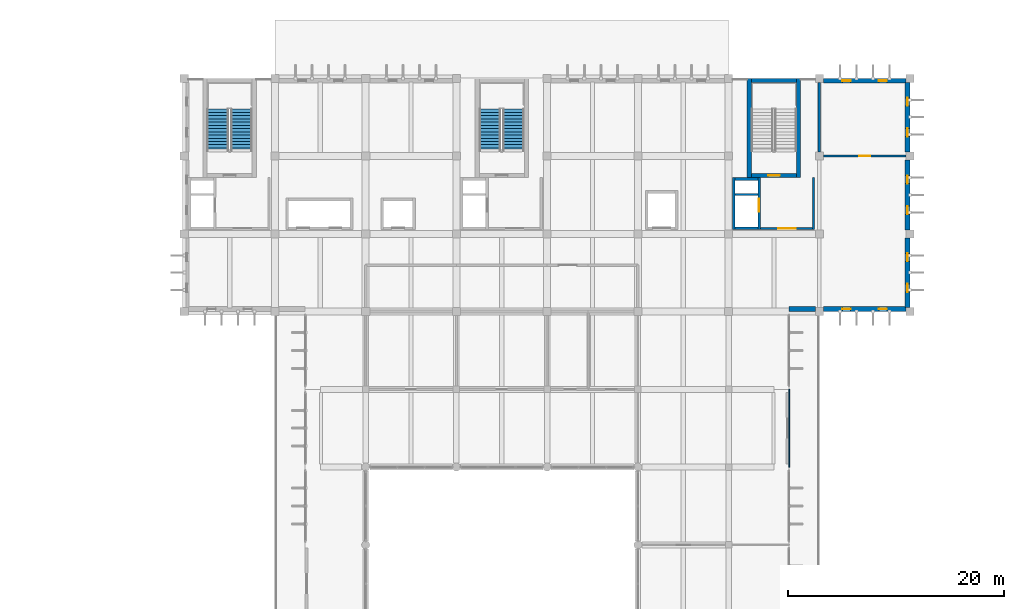
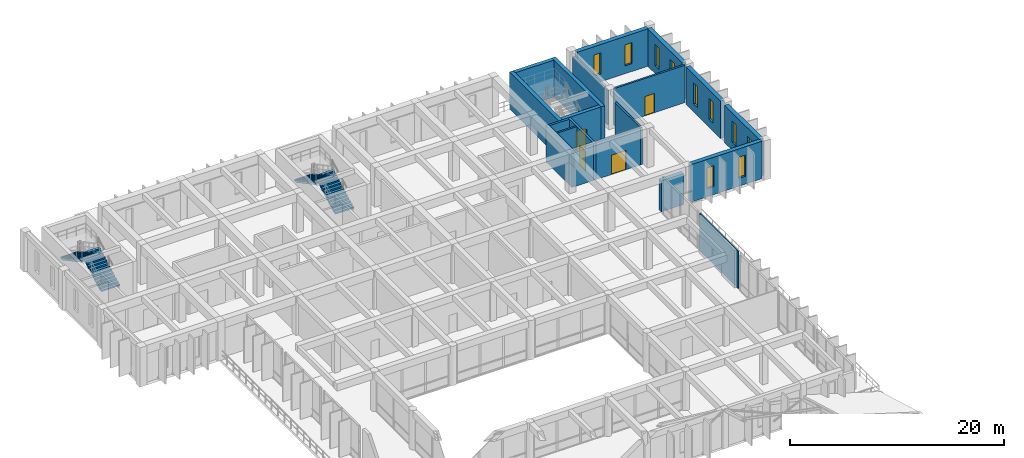
# One storey, part 18 of 23: 20 walls, 10 windows, 4 doors, 4 stair flights, 14 openings, 2 elements without a shape of their own.
"""IFC4 building model written with IfcOpenShell, lengths in metres."""

import ifcopenshell
import ifcopenshell.guid

model = None  # the IFC model being written
_history = None  # IfcOwnerHistory: only IFC2X3 demands one
_inside = {}  # id of a spatial element -> (the spatial element, [elements in it])
_under = {}  # id of a project, library or spatial element -> (it, [spatial elements below it])
_declared = {}  # id of a project -> (the project, [libraries it declares])
_typed = {}  # id of a type object -> (the type object, [elements of that type])
_made_of = {}  # id of a material, layer set ... -> (it, [elements and type objects made of it])


def new_model(schema):
    """Start an empty IFC model of exactly this schema.

    Asked for "IFC4X3", IfcOpenShell would pick the latest addendum, in which some entities
    have other attributes; the version numbers below select the first issue.
    IFC2X3 requires an IfcOwnerHistory on every rooted entity: one is made here for all.
    """
    global model, _history
    if schema == "IFC4X3":
        model = ifcopenshell.file(schema_version=(4, 3, 0, 0))
    else:
        model = ifcopenshell.file(schema=schema)
    _inside.clear()
    _under.clear()
    _declared.clear()
    _typed.clear()
    _made_of.clear()
    _history = None
    if model.schema == "IFC2X3":
        org = make("IfcOrganization", Name="unknown")
        user = make(
            "IfcPersonAndOrganization",
            ThePerson=make("IfcPerson", FamilyName="unknown"),
            TheOrganization=org,
        )
        app = make(
            "IfcApplication",
            ApplicationDeveloper=org,
            Version="unknown",
            ApplicationFullName="unknown",
            ApplicationIdentifier="unknown",
        )
        _history = make(
            "IfcOwnerHistory",
            OwningUser=user,
            OwningApplication=app,
            ChangeAction="ADDED",
            CreationDate=0,
        )
    return model


def make(cls, **values):
    """One entity of the class cls with the attributes given. An attribute that is None is left unset."""
    return model.create_entity(
        cls, **{name: value for name, value in values.items() if value is not None}
    )


def rooted(cls, **values):
    """An entity with a GlobalId (a new one), such as an element, a storey or a relation."""
    return make(cls, GlobalId=ifcopenshell.guid.new(), OwnerHistory=_history, **values)


def si_unit(unit_type, name, prefix=None):
    """IfcSIUnit, for example si_unit("LENGTHUNIT", "METRE", prefix="MILLI")."""
    return make("IfcSIUnit", UnitType=unit_type, Prefix=prefix, Name=name)


def assignment(units):
    """IfcUnitAssignment: the units of a project."""
    return None if units is None else make("IfcUnitAssignment", Units=units)


def point(xyz):
    """IfcCartesianPoint."""
    return None if xyz is None else make("IfcCartesianPoint", Coordinates=xyz)


def direction(xyz):
    """IfcDirection."""
    return None if xyz is None else make("IfcDirection", DirectionRatios=xyz)


def frame(location, z_axis=None, x_axis=None):
    """IfcAxis2Placement3D, a coordinate frame: its origin and axes. An axis left out is left unset."""
    return make(
        "IfcAxis2Placement3D",
        Location=point(location),
        Axis=direction(z_axis),
        RefDirection=direction(x_axis),
    )


def frame_2d(location, x_axis=None):
    """IfcAxis2Placement2D, a coordinate frame in the plane: its origin and x axis."""
    return make(
        "IfcAxis2Placement2D", Location=point(location), RefDirection=direction(x_axis)
    )


def origin():
    """The frame at (0, 0, 0) with its axes left unset."""
    return frame((0.0, 0.0, 0.0))


def place(relative_to, where):
    """IfcLocalPlacement: puts the frame where relative to a parent placement (None: the world)."""
    return make(
        "IfcLocalPlacement", PlacementRelTo=relative_to, RelativePlacement=where
    )


def context(
    kind, dimensions, precision=None, world=None, true_north=None, identifier=None
):
    """IfcGeometricRepresentationContext, for example the 3D "Model" context."""
    return make(
        "IfcGeometricRepresentationContext",
        ContextIdentifier=identifier,
        ContextType=kind,
        CoordinateSpaceDimension=dimensions,
        Precision=precision,
        WorldCoordinateSystem=world,
        TrueNorth=true_north,
    )


def subcontext(parent, identifier, kind, view, scale=None):
    """IfcGeometricRepresentationSubContext, for example "Body" below "Model"."""
    return make(
        "IfcGeometricRepresentationSubContext",
        ContextIdentifier=identifier,
        ContextType=kind,
        ParentContext=parent,
        TargetScale=scale,
        TargetView=view,
    )


def project(units=None, contexts=None):
    """IfcProject with its units and contexts."""
    return rooted(
        "IfcProject",
        Name="project",
        RepresentationContexts=contexts,
        UnitsInContext=assignment(units),
    )


def spatial(cls, under=None, at=None, **own):
    """A site, building, storey or space (cls), placed at a placement, below another one or the project."""
    s = rooted(cls, ObjectPlacement=at, **own)
    if under is not None:
        _under.setdefault(under.id(), (under, []))[1].append(s)
    return s


def polyline(points):
    """IfcPolyline through the points."""
    return make("IfcPolyline", Points=[point(p) for p in points])


def profile(cls, at=None, kind="AREA", **sizes):
    """A parametric profile (cls). Its sizes go by their IFC names, for example OverallWidth=200.0."""
    return make(cls, ProfileType=kind, Position=at, **sizes)


def rectangle(**sizes):
    """IfcRectangleProfileDef."""
    return profile("IfcRectangleProfileDef", **sizes)


def outline(outer, holes=None, kind="AREA"):
    """IfcArbitraryClosedProfileDef: a profile drawn as a closed curve; with holes, ...WithVoids."""
    if holes is None:
        return make("IfcArbitraryClosedProfileDef", ProfileType=kind, OuterCurve=outer)
    return make(
        "IfcArbitraryProfileDefWithVoids",
        ProfileType=kind,
        OuterCurve=outer,
        InnerCurves=holes,
    )


def extrude(swept, where, along, depth):
    """IfcExtrudedAreaSolid: the profile swept, set in the frame where, extruded along a direction by depth."""
    return make(
        "IfcExtrudedAreaSolid",
        SweptArea=swept,
        Position=where,
        ExtrudedDirection=direction(along),
        Depth=depth,
    )


def shape(context_of_items, identifier, shape_type, items):
    """IfcShapeRepresentation: the items that make up one representation, for example the "Body"."""
    return make(
        "IfcShapeRepresentation",
        ContextOfItems=context_of_items,
        RepresentationIdentifier=identifier,
        RepresentationType=shape_type,
        Items=items,
    )


def material(Name=None, Category=None):
    """IfcMaterial."""
    return make("IfcMaterial", Name=Name, Category=Category)


def layer(
    of_material, thickness, ventilated=None, Name=None, Category=None, Priority=None
):
    """IfcMaterialLayer: one layer of a wall or slab, of a material (None: an air gap)."""
    return make(
        "IfcMaterialLayer",
        Material=of_material,
        LayerThickness=thickness,
        IsVentilated=ventilated,
        Name=Name,
        Category=Category,
        Priority=Priority,
    )


def layer_set(layers, Name=None):
    """IfcMaterialLayerSet."""
    return make("IfcMaterialLayerSet", MaterialLayers=layers, LayerSetName=Name)


def made_of(thing, what):
    """Note that an element or type object is made of a material, layer set ...; save() writes the relation."""
    if what is not None:
        _made_of.setdefault(what.id(), (what, []))[1].append(thing)
    return thing


def type_object(cls, material=None, **own):
    """A type object (cls), such as IfcWallType, which elements share."""
    return made_of(rooted(cls, **own), material)


def element(
    cls,
    number,
    at=None,
    inside=None,
    cuts=None,
    type_object=None,
    material=None,
    context=None,
    identifier="Body",
    shape_type=None,
    held_by="IfcProductDefinitionShape",
    body=None,
    shapes=None,
    **own,
):
    """One element of the class cls, such as IfcWall. Its Tag is "e" and its number.

    at: its placement. inside: the storey or other place that contains it. cuts: it is an
    opening in that element (IfcRelVoidsElement). A single representation is given by context,
    identifier, shape_type and body (its items); several are given by shapes. held_by: the class
    of the entity that holds the representations. save() writes the other relations.
    """
    e = rooted(cls, Tag="e%d" % number, ObjectPlacement=at, **own)
    if body is not None:
        shapes = [shape(context, identifier, shape_type, body)]
    if shapes is not None:
        e.Representation = make(held_by, Representations=shapes)
    if inside is not None:
        _inside.setdefault(inside.id(), (inside, []))[1].append(e)
    if cuts is not None:
        rooted(
            "IfcRelVoidsElement", RelatingBuildingElement=cuts, RelatedOpeningElement=e
        )
    if type_object is not None:
        _typed.setdefault(type_object.id(), (type_object, []))[1].append(e)
    return made_of(e, material)


def fill(opening, filler):
    """IfcRelFillsElement: the door or window that sits in an opening."""
    return rooted(
        "IfcRelFillsElement",
        RelatingOpeningElement=opening,
        RelatedBuildingElement=filler,
    )


def aggregate(whole, parts):
    """IfcRelAggregates: a whole, such as a stair, and the parts it consists of."""
    return rooted("IfcRelAggregates", RelatingObject=whole, RelatedObjects=parts)


def save(model, path):
    """Write the relations noted so far, then the file.

    IfcRelAggregates (storeys below a building ...), IfcRelContainedInSpatialStructure (elements
    in a storey), IfcRelDefinesByType, IfcRelAssociatesMaterial and IfcRelDeclares: one each for
    every whole, place, type object, material and project.
    """
    for whole, parts in _under.values():
        aggregate(whole, parts)
    for where, things in _inside.values():
        rooted(
            "IfcRelContainedInSpatialStructure",
            RelatedElements=things,
            RelatingStructure=where,
        )
    for kind, things in _typed.values():
        rooted("IfcRelDefinesByType", RelatedObjects=things, RelatingType=kind)
    for what, things in _made_of.values():
        rooted("IfcRelAssociatesMaterial", RelatedObjects=things, RelatingMaterial=what)
    for by, libraries in _declared.values():
        rooted("IfcRelDeclares", RelatingContext=by, RelatedDefinitions=libraries)
    model.write(path)


model = new_model("IFC4")

# Units and contexts
model_context = context("Model", 3, precision=1e-05, world=origin(), true_north=direction((0.0, 1.0)))
body_context = subcontext(model_context, "Body", "Model", "MODEL_VIEW")
ifc_project = project(units=[si_unit("LENGTHUNIT", "METRE"), si_unit("AREAUNIT", "SQUARE_METRE"), si_unit("VOLUMEUNIT", "CUBIC_METRE"), si_unit("PLANEANGLEUNIT", "RADIAN"), si_unit("MASSUNIT", "GRAM", prefix="KILO")], contexts=[model_context])

# Site, building, storey
site_placement = place(None, origin())
site = spatial("IfcSite", under=ifc_project, at=site_placement, CompositionType="ELEMENT")
building_placement = place(site_placement, origin())
building = spatial("IfcBuilding", under=site, at=building_placement, Name="Kenerak Square Central Library", CompositionType="ELEMENT")
storey_placement = place(building_placement, frame((0.0, 0.0, 18.8798828125)))
storey = spatial("IfcBuildingStorey", under=building, at=storey_placement, Name="L04", CompositionType="ELEMENT", Elevation=18.8798828125)

# Walls
ifc_material_1 = material(Name="Concrete C40/50", Category="concrete")
ifc_layer_1 = layer(ifc_material_1, 0.39990234375)
ifc_layer_set_1 = layer_set([ifc_layer_1], Name="Concrete C40/50")
wall_type_1 = type_object("IfcWallType", Name="Core Shear Wall CW-400 C40/50", PredefinedType="SHEAR", material=ifc_layer_set_1)
for number, where, z_axis, x_axis, name in (
    (1, (110.719970703125, 101.199951171875, 0.0), (0.0, 0.0, 1.0), (0.0, 1.0, 0.0), "Core Wall CW-C3 L04 West"),
    (2, (115.280029296875, 110.39990234375, 0.0), (0.0, 0.0, 1.0), (0.0, -1.0, 0.0), "Core Wall CW-C3 L04 East"),
):
    element("IfcWall", number, at=place(storey_placement, frame(where, z_axis=z_axis, x_axis=x_axis)), inside=storey, type_object=wall_type_1, Name=name, PredefinedType="SHEAR", context=body_context, shape_type="SweptSolid", body=[
        extrude(rectangle(XDim=9.199951171875, YDim=0.39990234375, at=frame_2d((4.60009765625, 0.0))), origin(), (0.0, 0.0, 1.0), 4.205078125),
    ])

# Wall, opening, door
wall_1_placement = place(storey_placement, frame((115.080078125, 101.39990234375, 0.0), z_axis=(0.0, 0.0, 1.0), x_axis=(-1.0, 0.0, 0.0)))
wall_1 = element("IfcWall", 3, at=wall_1_placement, inside=storey, type_object=wall_type_1, Name="Core Wall CW-C3 L04 South", PredefinedType="SHEAR", context=body_context, shape_type="SweptSolid", body=[
    extrude(rectangle(XDim=4.16015625, YDim=0.39990234375, at=frame_2d((2.080078125, 0.0))), origin(), (0.0, 0.0, 1.0), 4.205078125),
])
opening_1_placement = place(wall_1_placement, frame((1.530029296875, 0.0, 0.0)))
opening_1 = element("IfcOpeningElement", 4, at=opening_1_placement, cuts=wall_1, Name="Opening D-ST1", PredefinedType="OPENING", context=body_context, shape_type="SweptSolid", body=[
    extrude(rectangle(XDim=1.10009765625, YDim=2.199951171875, at=frame_2d((0.550048828125, 1.10009765625))), frame((0.0, 0.2099609375, 0.0), z_axis=(0.0, -1.0, 0.0), x_axis=(1.0, 0.0, 0.0)), (0.0, 0.0, 1.0), 0.419921875),
])
ifc_material_2 = material(Name="Steel S355", Category="steel")
door_type_1 = type_object("IfcDoorType", Name="Protected Stair Fire Door FD-1100x2200 FD60S", OperationType="NOTDEFINED", PredefinedType="DOOR", material=ifc_material_2)
door_1_placement = place(opening_1_placement, frame((1.10009765625, 0.0, 0.0), z_axis=(0.0, 0.0, 1.0), x_axis=(-1.0, 0.0, 0.0)))
door_1 = element("IfcDoor", 5, at=door_1_placement, inside=storey, type_object=door_type_1, Name="Stair Door ST-03 L04", OperationType="SINGLE_SWING_LEFT", OverallHeight=2.199951171875, OverallWidth=1.10009765625, PredefinedType="DOOR", context=body_context, shape_type="SweptSolid", body=[
    extrude(rectangle(XDim=1.10009765625, YDim=2.199951171875, at=frame_2d((0.550048828125, 1.10009765625))), frame((0.0, 0.02490234375, 0.0), z_axis=(0.0, -1.0, 0.0), x_axis=(1.0, 0.0, 0.0)), (0.0, 0.0, 1.0), 0.050048828125),
])
fill(opening_1, door_1)

# Walls
wall_2_placement = place(storey_placement, frame((110.919921875, 110.199951171875, 0.0), z_axis=(0.0, 0.0, 1.0), x_axis=(1.0, 0.0, 0.0)))
element("IfcWall", 6, at=wall_2_placement, inside=storey, type_object=wall_type_1, Name="Core Wall CW-C3 L04 North", PredefinedType="SHEAR", context=body_context, shape_type="SweptSolid", body=[
    extrude(rectangle(XDim=4.16015625, YDim=0.39990234375, at=frame_2d((2.080078125, 0.0))), origin(), (0.0, 0.0, 1.0), 4.205078125),
])
ifc_material_3 = material(Name="Laminated acoustic glass in aluminium frame", Category="aluminium")
ifc_layer_2 = layer(ifc_material_3, 0.10009765625)
ifc_layer_set_2 = layer_set([ifc_layer_2], Name="Laminated acoustic glass in aluminium frame")
wall_type_2 = type_object("IfcWallType", Name="Glazed Study Carrel Screen IW-100", PredefinedType="MOVABLE", material=ifc_layer_set_2)
wall_3_placement = place(storey_placement, frame((114.39990234375, 81.60009765625, 0.0), z_axis=(0.0, 0.0, 1.0), x_axis=(0.0, -1.0, 0.0)))
element("IfcWall", 7, at=wall_3_placement, inside=storey, type_object=wall_type_2, Name="Interior Wall IW-L04-04-E3-B2", PredefinedType="MOVABLE", context=body_context, shape_type="SweptSolid", body=[
    extrude(rectangle(XDim=7.2001953125, YDim=0.10009765625, at=frame_2d((3.60009765625, 0.0))), origin(), (0.0, 0.0, 1.0), 4.255126953125),
])
ifc_layer_3 = layer(ifc_material_1, 0.199951171875)
ifc_layer_set_3 = layer_set([ifc_layer_3], Name="Concrete C40/50")
wall_type_3 = type_object("IfcWallType", Name="Lobby Compartment Wall LW-200 C40/50", PredefinedType="SOLIDWALL", material=ifc_layer_set_3)
wall_4_placement = place(storey_placement, frame((109.39990234375, 99.64990234375, 0.0), z_axis=(0.0, 0.0, 1.0), x_axis=(1.0, 0.0, 0.0)))
element("IfcWall", 8, at=wall_4_placement, inside=storey, type_object=wall_type_3, Name="Riser Divider Wall C3 L04", PredefinedType="SOLIDWALL", context=body_context, shape_type="SweptSolid", body=[
    extrude(rectangle(XDim=2.10009765625, YDim=0.199951171875, at=frame_2d((1.050048828125, 0.0))), origin(), (0.0, 0.0, 1.0), 4.205078125),
])
wall_5_placement = place(storey_placement, frame((116.64990234375, 101.199951171875, 0.0), z_axis=(0.0, 0.0, 1.0), x_axis=(0.0, -1.0, 0.0)))
element("IfcWall", 9, at=wall_5_placement, inside=storey, type_object=wall_type_3, Name="Firefighting Lobby East Wall C3 L04", PredefinedType="SOLIDWALL", context=body_context, shape_type="SweptSolid", body=[
    extrude(rectangle(XDim=4.800048828125, YDim=0.199951171875, at=frame_2d((2.39990234375, 0.0))), origin(), (0.0, 0.0, 1.0), 4.205078125),
])

# Wall, opening, door
wall_6_placement = place(storey_placement, frame((116.550048828125, 96.5, 0.0), z_axis=(0.0, 0.0, 1.0), x_axis=(-1.0, 0.0, 0.0)))
wall_6 = element("IfcWall", 10, at=wall_6_placement, inside=storey, type_object=wall_type_3, Name="Firefighting Lobby South Wall C3 L04", PredefinedType="SOLIDWALL", context=body_context, shape_type="SweptSolid", body=[
    extrude(rectangle(XDim=4.800048828125, YDim=0.199951171875, at=frame_2d((2.39990234375, 0.0))), origin(), (0.0, 0.0, 1.0), 4.205078125),
])
opening_2_placement = place(wall_6_placement, frame((1.550048828125, 0.0, 0.0)))
opening_2 = element("IfcOpeningElement", 11, at=opening_2_placement, cuts=wall_6, Name="Opening D-FFL", PredefinedType="OPENING", context=body_context, shape_type="SweptSolid", body=[
    extrude(rectangle(XDim=1.60009765625, YDim=2.199951171875, at=frame_2d((0.800048828125, 1.10009765625))), frame((0.0, 0.10986328125, 0.0), z_axis=(0.0, -1.0, 0.0), x_axis=(1.0, 0.0, 0.0)), (0.0, 0.0, 1.0), 0.219970703125),
])
door_type_2 = type_object("IfcDoorType", Name="Firefighting Lobby Double Door FD-1600x2200 FD60S", OperationType="NOTDEFINED", PredefinedType="DOOR", material=ifc_material_2)
door_2_placement = place(opening_2_placement, frame((1.60009765625, 0.0, 0.0), z_axis=(0.0, 0.0, 1.0), x_axis=(-1.0, 0.0, 0.0)))
door_2 = element("IfcDoor", 12, at=door_2_placement, inside=storey, type_object=door_type_2, Name="Firefighting Lobby Door C3 L04", OperationType="DOUBLE_DOOR_SINGLE_SWING", OverallHeight=2.199951171875, OverallWidth=1.60009765625, PredefinedType="DOOR", context=body_context, shape_type="SweptSolid", body=[
    extrude(rectangle(XDim=1.60009765625, YDim=2.199951171875, at=frame_2d((0.800048828125, 1.10009765625))), frame((0.0, 0.02490234375, 0.0), z_axis=(0.0, -1.0, 0.0), x_axis=(1.0, 0.0, 0.0)), (0.0, 0.0, 1.0), 0.050048828125),
])
fill(opening_2, door_2)

ifc_material_4 = material(Name="Precast concrete C40/50", Category="concrete")
ifc_layer_4 = layer(ifc_material_4, 0.199951171875)
ifc_layer_set_4 = layer_set([ifc_layer_4], Name="Precast concrete C40/50")
wall_type_4 = type_object("IfcWallType", Name="Protected Corridor Fire Wall IW-200 C40/50", PredefinedType="PARTITIONING", material=ifc_layer_set_4)
wall_7_placement = place(storey_placement, frame((125.22509765625, 103.199951171875, 0.0), z_axis=(0.0, 0.0, 1.0), x_axis=(-1.0, 0.0, 0.0)))
wall_7 = element("IfcWall", 13, at=wall_7_placement, inside=storey, type_object=wall_type_4, Name="Interior Wall IW-L04-06-S1-B1", PredefinedType="PARTITIONING", context=body_context, shape_type="SweptSolid", body=[
    extrude(rectangle(XDim=7.650146484375, YDim=0.199951171875, at=frame_2d((3.8251953125, 0.0))), origin(), (0.0, 0.0, 1.0), 4.255126953125),
])
opening_3_placement = place(wall_7_placement, frame((3.300048828125, 0.0, 0.0)))
opening_3 = element("IfcOpeningElement", 14, at=opening_3_placement, cuts=wall_7, Name="Opening ID-04", PredefinedType="OPENING", context=body_context, shape_type="SweptSolid", body=[
    extrude(rectangle(XDim=1.050048828125, YDim=2.199951171875, at=frame_2d((0.52490234375, 1.10009765625))), frame((0.0, 0.10986328125, 0.0), z_axis=(0.0, -1.0, 0.0), x_axis=(1.0, 0.0, 0.0)), (0.0, 0.0, 1.0), 0.219970703125),
])
door_type_3 = type_object("IfcDoorType", Name="Conservation Lab Door ID-1050x2200 FD60S", OperationType="NOTDEFINED", PredefinedType="DOOR", material=ifc_material_2)
door_3_placement = place(opening_3_placement, origin())
door_3 = element("IfcDoor", 15, at=door_3_placement, inside=storey, type_object=door_type_3, Name="Digitisation and Imaging Research Workroom Door", OperationType="SINGLE_SWING_LEFT", OverallHeight=2.199951171875, OverallWidth=1.050048828125, PredefinedType="DOOR", context=body_context, shape_type="SweptSolid", body=[
    extrude(rectangle(XDim=1.050048828125, YDim=2.199951171875, at=frame_2d((0.52490234375, 1.10009765625))), frame((0.0, 0.02490234375, 0.0), z_axis=(0.0, -1.0, 0.0), x_axis=(1.0, 0.0, 0.0)), (0.0, 0.0, 1.0), 0.050048828125),
])
fill(opening_3, door_3)

# Wall
wall_8_placement = place(storey_placement, frame((117.199951171875, 103.574951171875, 0.0), z_axis=(0.0, 0.0, 1.0), x_axis=(0.0, 1.0, 0.0)))
element("IfcWall", 16, at=wall_8_placement, inside=storey, type_object=wall_type_4, Name="Interior Wall IW-L04-06-W3-B1", PredefinedType="PARTITIONING", context=body_context, shape_type="SweptSolid", body=[
    extrude(rectangle(XDim=6.449951171875, YDim=0.199951171875, at=frame_2d((3.22509765625, 0.0))), origin(), (0.0, 0.0, 1.0), 3.880126953125),
])

# Wall, openings, windows
ifc_layer_5 = layer(ifc_material_1, 0.449951171875)
ifc_layer_set_5 = layer_set([ifc_layer_5], Name="Concrete C40/50")
wall_type_5 = type_object("IfcWallType", Name="Rare-Books Vault Exterior Wall VW-450 C40/50", PredefinedType="SOLIDWALL", material=ifc_layer_set_5)
wall_9_placement = place(storey_placement, frame((117.574951171875, 110.175048828125, 0.0), z_axis=(0.0, 0.0, 1.0), x_axis=(1.0, 0.0, 0.0)))
wall_9 = element("IfcWall", 17, at=wall_9_placement, inside=storey, type_object=wall_type_5, Name="Exterior Facade Wall L04 0234", PredefinedType="SOLIDWALL", context=body_context, shape_type="SweptSolid", body=[
    extrude(rectangle(XDim=7.650146484375, YDim=0.449951171875, at=frame_2d((3.8251953125, 0.0))), origin(), (0.0, 0.0, 1.0), 4.255126953125),
])
opening_4_placement = place(wall_9_placement, frame((1.76708984375, 0.0, 0.89990234375)))
opening_4 = element("IfcOpeningElement", 18, at=opening_4_placement, cuts=wall_9, Name="Opening W-02", PredefinedType="OPENING", context=body_context, shape_type="SweptSolid", body=[
    extrude(rectangle(XDim=0.75, YDim=2.39990234375, at=frame_2d((0.375, 1.199951171875))), frame((0.0, 0.23486328125, 0.0), z_axis=(0.0, -1.0, 0.0), x_axis=(1.0, 0.0, 0.0)), (0.0, 0.0, 1.0), 0.469970703125),
])
opening_5_placement = place(wall_9_placement, frame((5.133056640625, 0.0, 0.89990234375)))
opening_5 = element("IfcOpeningElement", 19, at=opening_5_placement, cuts=wall_9, Name="Opening W-02", PredefinedType="OPENING", context=body_context, shape_type="SweptSolid", body=[
    extrude(rectangle(XDim=0.75, YDim=2.39990234375, at=frame_2d((0.375, 1.199951171875))), frame((0.0, 0.23486328125, 0.0), z_axis=(0.0, -1.0, 0.0), x_axis=(1.0, 0.0, 0.0)), (0.0, 0.0, 1.0), 0.469970703125),
])
ifc_material_5 = material(Name="Solar-control low-E laminated double glazing", Category="glass")
window_type = type_object("IfcWindowType", Name="Archive Narrow Slot Window W-02 750x2400", PartitioningType="SINGLE_PANEL", PredefinedType="WINDOW", material=ifc_material_5)
window_1_placement = place(opening_4_placement, origin())
window_1 = element("IfcWindow", 20, at=window_1_placement, inside=storey, type_object=window_type, Name="Window W-02 L04 0260", OverallHeight=2.39990234375, OverallWidth=0.75, PartitioningType="SINGLE_PANEL", PredefinedType="WINDOW", context=body_context, shape_type="SweptSolid", body=[
    extrude(rectangle(XDim=0.75, YDim=2.39990234375, at=frame_2d((0.375, 1.199951171875))), frame((0.0, 0.030029296875, 0.0), z_axis=(0.0, -1.0, 0.0), x_axis=(1.0, 0.0, 0.0)), (0.0, 0.0, 1.0), 0.06005859375),
])
fill(opening_4, window_1)
window_2_placement = place(opening_5_placement, origin())
window_2 = element("IfcWindow", 21, at=window_2_placement, inside=storey, type_object=window_type, Name="Window W-02 L04 0261", OverallHeight=2.39990234375, OverallWidth=0.75, PartitioningType="SINGLE_PANEL", PredefinedType="WINDOW", context=body_context, shape_type="SweptSolid", body=[
    extrude(rectangle(XDim=0.75, YDim=2.39990234375, at=frame_2d((0.375, 1.199951171875))), frame((0.0, 0.030029296875, 0.0), z_axis=(0.0, -1.0, 0.0), x_axis=(1.0, 0.0, 0.0)), (0.0, 0.0, 1.0), 0.06005859375),
])
fill(opening_5, window_2)

wall_10_placement = place(storey_placement, frame((125.375, 110.02490234375, 0.0), z_axis=(0.0, 0.0, 1.0), x_axis=(0.0, -1.0, 0.0)))
wall_10 = element("IfcWall", 22, at=wall_10_placement, inside=storey, type_object=wall_type_5, Name="Exterior Facade Wall L04 0235", PredefinedType="SOLIDWALL", context=body_context, shape_type="SweptSolid", body=[
    extrude(rectangle(XDim=6.449951171875, YDim=0.449951171875, at=frame_2d((3.22509765625, 0.0))), origin(), (0.0, 0.0, 1.0), 4.255126953125),
])
opening_6_placement = place(wall_10_placement, frame((1.430908203125, 0.0, 0.89990234375)))
opening_6 = element("IfcOpeningElement", 23, at=opening_6_placement, cuts=wall_10, Name="Opening W-02", PredefinedType="OPENING", context=body_context, shape_type="SweptSolid", body=[
    extrude(rectangle(XDim=0.75, YDim=2.39990234375, at=frame_2d((0.375, 1.199951171875))), frame((0.0, 0.23486328125, 0.0), z_axis=(0.0, -1.0, 0.0), x_axis=(1.0, 0.0, 0.0)), (0.0, 0.0, 1.0), 0.469970703125),
])
opening_7_placement = place(wall_10_placement, frame((4.26904296875, 0.0, 0.89990234375)))
opening_7 = element("IfcOpeningElement", 24, at=opening_7_placement, cuts=wall_10, Name="Opening W-02", PredefinedType="OPENING", context=body_context, shape_type="SweptSolid", body=[
    extrude(rectangle(XDim=0.75, YDim=2.39990234375, at=frame_2d((0.375, 1.199951171875))), frame((0.0, 0.23486328125, 0.0), z_axis=(0.0, -1.0, 0.0), x_axis=(1.0, 0.0, 0.0)), (0.0, 0.0, 1.0), 0.469970703125),
])
window_3_placement = place(opening_6_placement, origin())
window_3 = element("IfcWindow", 25, at=window_3_placement, inside=storey, type_object=window_type, Name="Window W-02 L04 0262", OverallHeight=2.39990234375, OverallWidth=0.75, PartitioningType="SINGLE_PANEL", PredefinedType="WINDOW", context=body_context, shape_type="SweptSolid", body=[
    extrude(rectangle(XDim=0.75, YDim=2.39990234375, at=frame_2d((0.375, 1.199951171875))), frame((0.0, 0.030029296875, 0.0), z_axis=(0.0, -1.0, 0.0), x_axis=(1.0, 0.0, 0.0)), (0.0, 0.0, 1.0), 0.06005859375),
])
fill(opening_6, window_3)
window_4_placement = place(opening_7_placement, origin())
window_4 = element("IfcWindow", 26, at=window_4_placement, inside=storey, type_object=window_type, Name="Window W-02 L04 0263", OverallHeight=2.39990234375, OverallWidth=0.75, PartitioningType="SINGLE_PANEL", PredefinedType="WINDOW", context=body_context, shape_type="SweptSolid", body=[
    extrude(rectangle(XDim=0.75, YDim=2.39990234375, at=frame_2d((0.375, 1.199951171875))), frame((0.0, 0.030029296875, 0.0), z_axis=(0.0, -1.0, 0.0), x_axis=(1.0, 0.0, 0.0)), (0.0, 0.0, 1.0), 0.06005859375),
])
fill(opening_7, window_4)

wall_11_placement = place(storey_placement, frame((125.375, 102.824951171875, 0.0), z_axis=(0.0, 0.0, 1.0), x_axis=(0.0, -1.0, 0.0)))
wall_11 = element("IfcWall", 27, at=wall_11_placement, inside=storey, type_object=wall_type_5, Name="Exterior Facade Wall L04 0236", PredefinedType="SOLIDWALL", context=body_context, shape_type="SweptSolid", body=[
    extrude(rectangle(XDim=6.449951171875, YDim=0.449951171875, at=frame_2d((3.22509765625, 0.0))), origin(), (0.0, 0.0, 1.0), 4.255126953125),
])
opening_8_placement = place(wall_11_placement, frame((1.430908203125, 0.0, 0.89990234375)))
opening_8 = element("IfcOpeningElement", 28, at=opening_8_placement, cuts=wall_11, Name="Opening W-02", PredefinedType="OPENING", context=body_context, shape_type="SweptSolid", body=[
    extrude(rectangle(XDim=0.75, YDim=2.39990234375, at=frame_2d((0.375, 1.199951171875))), frame((0.0, 0.23486328125, 0.0), z_axis=(0.0, -1.0, 0.0), x_axis=(1.0, 0.0, 0.0)), (0.0, 0.0, 1.0), 0.469970703125),
])
opening_9_placement = place(wall_11_placement, frame((4.26904296875, 0.0, 0.89990234375)))
opening_9 = element("IfcOpeningElement", 29, at=opening_9_placement, cuts=wall_11, Name="Opening W-02", PredefinedType="OPENING", context=body_context, shape_type="SweptSolid", body=[
    extrude(rectangle(XDim=0.75, YDim=2.39990234375, at=frame_2d((0.375, 1.199951171875))), frame((0.0, 0.23486328125, 0.0), z_axis=(0.0, -1.0, 0.0), x_axis=(1.0, 0.0, 0.0)), (0.0, 0.0, 1.0), 0.469970703125),
])
window_5_placement = place(opening_8_placement, origin())
window_5 = element("IfcWindow", 30, at=window_5_placement, inside=storey, type_object=window_type, Name="Window W-02 L04 0264", OverallHeight=2.39990234375, OverallWidth=0.75, PartitioningType="SINGLE_PANEL", PredefinedType="WINDOW", context=body_context, shape_type="SweptSolid", body=[
    extrude(rectangle(XDim=0.75, YDim=2.39990234375, at=frame_2d((0.375, 1.199951171875))), frame((0.0, 0.030029296875, 0.0), z_axis=(0.0, -1.0, 0.0), x_axis=(1.0, 0.0, 0.0)), (0.0, 0.0, 1.0), 0.06005859375),
])
fill(opening_8, window_5)
window_6_placement = place(opening_9_placement, origin())
window_6 = element("IfcWindow", 31, at=window_6_placement, inside=storey, type_object=window_type, Name="Window W-02 L04 0265", OverallHeight=2.39990234375, OverallWidth=0.75, PartitioningType="SINGLE_PANEL", PredefinedType="WINDOW", context=body_context, shape_type="SweptSolid", body=[
    extrude(rectangle(XDim=0.75, YDim=2.39990234375, at=frame_2d((0.375, 1.199951171875))), frame((0.0, 0.030029296875, 0.0), z_axis=(0.0, -1.0, 0.0), x_axis=(1.0, 0.0, 0.0)), (0.0, 0.0, 1.0), 0.06005859375),
])
fill(opening_9, window_6)

wall_12_placement = place(storey_placement, frame((125.375, 95.625, 0.0), z_axis=(0.0, 0.0, 1.0), x_axis=(0.0, -1.0, 0.0)))
wall_12 = element("IfcWall", 32, at=wall_12_placement, inside=storey, type_object=wall_type_5, Name="Exterior Facade Wall L04 0237", PredefinedType="SOLIDWALL", context=body_context, shape_type="SweptSolid", body=[
    extrude(rectangle(XDim=6.449951171875, YDim=0.449951171875, at=frame_2d((3.22509765625, 0.0))), origin(), (0.0, 0.0, 1.0), 4.255126953125),
])
opening_10_placement = place(wall_12_placement, frame((1.430908203125, 0.0, 0.89990234375)))
opening_10 = element("IfcOpeningElement", 33, at=opening_10_placement, cuts=wall_12, Name="Opening W-02", PredefinedType="OPENING", context=body_context, shape_type="SweptSolid", body=[
    extrude(rectangle(XDim=0.75, YDim=2.39990234375, at=frame_2d((0.375, 1.199951171875))), frame((0.0, 0.23486328125, 0.0), z_axis=(0.0, -1.0, 0.0), x_axis=(1.0, 0.0, 0.0)), (0.0, 0.0, 1.0), 0.469970703125),
])
opening_11_placement = place(wall_12_placement, frame((4.26904296875, 0.0, 0.89990234375)))
opening_11 = element("IfcOpeningElement", 34, at=opening_11_placement, cuts=wall_12, Name="Opening W-02", PredefinedType="OPENING", context=body_context, shape_type="SweptSolid", body=[
    extrude(rectangle(XDim=0.75, YDim=2.39990234375, at=frame_2d((0.375, 1.199951171875))), frame((0.0, 0.23486328125, 0.0), z_axis=(0.0, -1.0, 0.0), x_axis=(1.0, 0.0, 0.0)), (0.0, 0.0, 1.0), 0.469970703125),
])
window_7_placement = place(opening_10_placement, origin())
window_7 = element("IfcWindow", 35, at=window_7_placement, inside=storey, type_object=window_type, Name="Window W-02 L04 0266", OverallHeight=2.39990234375, OverallWidth=0.75, PartitioningType="SINGLE_PANEL", PredefinedType="WINDOW", context=body_context, shape_type="SweptSolid", body=[
    extrude(rectangle(XDim=0.75, YDim=2.39990234375, at=frame_2d((0.375, 1.199951171875))), frame((0.0, 0.030029296875, 0.0), z_axis=(0.0, -1.0, 0.0), x_axis=(1.0, 0.0, 0.0)), (0.0, 0.0, 1.0), 0.06005859375),
])
fill(opening_10, window_7)
window_8_placement = place(opening_11_placement, origin())
window_8 = element("IfcWindow", 36, at=window_8_placement, inside=storey, type_object=window_type, Name="Window W-02 L04 0267", OverallHeight=2.39990234375, OverallWidth=0.75, PartitioningType="SINGLE_PANEL", PredefinedType="WINDOW", context=body_context, shape_type="SweptSolid", body=[
    extrude(rectangle(XDim=0.75, YDim=2.39990234375, at=frame_2d((0.375, 1.199951171875))), frame((0.0, 0.030029296875, 0.0), z_axis=(0.0, -1.0, 0.0), x_axis=(1.0, 0.0, 0.0)), (0.0, 0.0, 1.0), 0.06005859375),
])
fill(opening_11, window_8)

wall_13_placement = place(storey_placement, frame((125.22509765625, 89.02490234375, 0.0), z_axis=(0.0, 0.0, 1.0), x_axis=(-1.0, 0.0, 0.0)))
wall_13 = element("IfcWall", 37, at=wall_13_placement, inside=storey, type_object=wall_type_5, Name="Exterior Facade Wall L04 0238", PredefinedType="SOLIDWALL", context=body_context, shape_type="SweptSolid", body=[
    extrude(rectangle(XDim=7.650146484375, YDim=0.449951171875, at=frame_2d((3.8251953125, 0.0))), origin(), (0.0, 0.0, 1.0), 4.255126953125),
])
opening_12_placement = place(wall_13_placement, frame((1.76708984375, 0.0, 0.89990234375)))
opening_12 = element("IfcOpeningElement", 38, at=opening_12_placement, cuts=wall_13, Name="Opening W-02", PredefinedType="OPENING", context=body_context, shape_type="SweptSolid", body=[
    extrude(rectangle(XDim=0.75, YDim=2.39990234375, at=frame_2d((0.375, 1.199951171875))), frame((0.0, 0.23486328125, 0.0), z_axis=(0.0, -1.0, 0.0), x_axis=(1.0, 0.0, 0.0)), (0.0, 0.0, 1.0), 0.469970703125),
])
opening_13_placement = place(wall_13_placement, frame((5.133056640625, 0.0, 0.89990234375)))
opening_13 = element("IfcOpeningElement", 39, at=opening_13_placement, cuts=wall_13, Name="Opening W-02", PredefinedType="OPENING", context=body_context, shape_type="SweptSolid", body=[
    extrude(rectangle(XDim=0.75, YDim=2.39990234375, at=frame_2d((0.375, 1.199951171875))), frame((0.0, 0.23486328125, 0.0), z_axis=(0.0, -1.0, 0.0), x_axis=(1.0, 0.0, 0.0)), (0.0, 0.0, 1.0), 0.469970703125),
])
window_9_placement = place(opening_12_placement, origin())
window_9 = element("IfcWindow", 40, at=window_9_placement, inside=storey, type_object=window_type, Name="Window W-02 L04 0268", OverallHeight=2.39990234375, OverallWidth=0.75, PartitioningType="SINGLE_PANEL", PredefinedType="WINDOW", context=body_context, shape_type="SweptSolid", body=[
    extrude(rectangle(XDim=0.75, YDim=2.39990234375, at=frame_2d((0.375, 1.199951171875))), frame((0.0, 0.030029296875, 0.0), z_axis=(0.0, -1.0, 0.0), x_axis=(1.0, 0.0, 0.0)), (0.0, 0.0, 1.0), 0.06005859375),
])
fill(opening_12, window_9)
window_10_placement = place(opening_13_placement, origin())
window_10 = element("IfcWindow", 41, at=window_10_placement, inside=storey, type_object=window_type, Name="Window W-02 L04 0269", OverallHeight=2.39990234375, OverallWidth=0.75, PartitioningType="SINGLE_PANEL", PredefinedType="WINDOW", context=body_context, shape_type="SweptSolid", body=[
    extrude(rectangle(XDim=0.75, YDim=2.39990234375, at=frame_2d((0.375, 1.199951171875))), frame((0.0, 0.030029296875, 0.0), z_axis=(0.0, -1.0, 0.0), x_axis=(1.0, 0.0, 0.0)), (0.0, 0.0, 1.0), 0.06005859375),
])
fill(opening_13, window_10)

# Walls
wall_14_placement = place(storey_placement, frame((116.824951171875, 89.02490234375, 0.0), z_axis=(0.0, 0.0, 1.0), x_axis=(-1.0, 0.0, 0.0)))
element("IfcWall", 42, at=wall_14_placement, inside=storey, type_object=wall_type_5, Name="Exterior Facade Wall L04 0239", PredefinedType="SOLIDWALL", context=body_context, shape_type="SweptSolid", body=[
    extrude(rectangle(XDim=2.425048828125, YDim=0.449951171875, at=frame_2d((1.21240234375, 0.0))), origin(), (0.0, 0.0, 1.0), 3.530029296875),
])
ifc_layer_6 = layer(ifc_material_1, 0.25)
ifc_layer_set_6 = layer_set([ifc_layer_6], Name="Concrete C40/50")
wall_type_6 = type_object("IfcWallType", Name="Shaft Enclosure Wall SW-250 C40/50", PredefinedType="SOLIDWALL", material=ifc_layer_set_6)
wall_15_placement = place(storey_placement, frame((109.27490234375, 96.39990234375, 0.0), z_axis=(0.0, 0.0, 1.0), x_axis=(0.0, 1.0, 0.0)))
element("IfcWall", 43, at=wall_15_placement, inside=storey, type_object=wall_type_6, Name="Core Wall FLW-C3 L04 West", PredefinedType="SOLIDWALL", context=body_context, shape_type="SweptSolid", body=[
    extrude(rectangle(XDim=4.800048828125, YDim=0.25, at=frame_2d((2.39990234375, 0.0))), origin(), (0.0, 0.0, 1.0), 4.205078125),
])

# Wall, opening, door
wall_16_placement = place(storey_placement, frame((111.625, 101.199951171875, 0.0), z_axis=(0.0, 0.0, 1.0), x_axis=(0.0, -1.0, 0.0)))
wall_16 = element("IfcWall", 44, at=wall_16_placement, inside=storey, type_object=wall_type_6, Name="Core Wall FLW-C3 L04 East", PredefinedType="SOLIDWALL", context=body_context, shape_type="SweptSolid", body=[
    extrude(rectangle(XDim=4.800048828125, YDim=0.25, at=frame_2d((2.39990234375, 0.0))), origin(), (0.0, 0.0, 1.0), 4.205078125),
])
opening_14_placement = place(wall_16_placement, frame((1.949951171875, 0.0, 0.0)))
opening_14 = element("IfcOpeningElement", 45, at=opening_14_placement, cuts=wall_16, Name="Opening LD-FL", PredefinedType="OPENING", context=body_context, shape_type="SweptSolid", body=[
    extrude(rectangle(XDim=1.199951171875, YDim=2.199951171875, at=frame_2d((0.60009765625, 1.10009765625))), frame((0.0, 0.135009765625, 0.0), z_axis=(0.0, -1.0, 0.0), x_axis=(1.0, 0.0, 0.0)), (0.0, 0.0, 1.0), 0.27001953125),
])
door_type_4 = type_object("IfcDoorType", Name="Firefighting Lift Sliding Landing Door LD-1200x2200 FD120S", OperationType="NOTDEFINED", PredefinedType="DOOR", material=ifc_material_2)
door_4_placement = place(opening_14_placement, origin())
door_4 = element("IfcDoor", 46, at=door_4_placement, inside=storey, type_object=door_type_4, Name="Firefighting Lift Landing Door FL-03 L04", OperationType="SLIDING_TO_LEFT", OverallHeight=2.199951171875, OverallWidth=1.199951171875, PredefinedType="DOOR", context=body_context, shape_type="SweptSolid", body=[
    extrude(rectangle(XDim=1.199951171875, YDim=2.199951171875, at=frame_2d((0.60009765625, 1.10009765625))), frame((0.0, 0.02490234375, 0.0), z_axis=(0.0, -1.0, 0.0), x_axis=(1.0, 0.0, 0.0)), (0.0, 0.0, 1.0), 0.050048828125),
])
fill(opening_14, door_4)

# Walls
for number, where, z_axis, x_axis, name in (
    (47, (111.5, 96.52490234375, 0.0), (0.0, 0.0, 1.0), (-1.0, 0.0, 0.0), "Core Wall FLW-C3 L04 South"),
    (48, (109.39990234375, 101.074951171875, 0.0), (0.0, 0.0, 1.0), (1.0, 0.0, 0.0), "Core Wall FLW-C3 L04 North"),
):
    element("IfcWall", number, at=place(storey_placement, frame(where, z_axis=z_axis, x_axis=x_axis)), inside=storey, type_object=wall_type_6, Name=name, PredefinedType="SOLIDWALL", context=body_context, shape_type="SweptSolid", body=[
        extrude(rectangle(XDim=2.10009765625, YDim=0.25, at=frame_2d((1.050048828125, 0.0))), origin(), (0.0, 0.0, 1.0), 4.205078125),
    ])

# Stair, stair flights
stair_type = type_object("IfcStairType", Name="Exit Dogleg Stair ST-448 C40/50", PredefinedType="HALF_TURN_STAIR", material=ifc_material_1)
stair_1_placement = place(storey_placement, origin())
stair_1 = element("IfcStair", 49, at=stair_1_placement, inside=storey, type_object=stair_type, Name="L04 Protected Exit Stair ST-01", PredefinedType="HALF_TURN_STAIR")
stair_flight_type = type_object("IfcStairFlightType", Name="Exit Stair Flight FL-14 C40/50", PredefinedType="STRAIGHT", material=ifc_material_1)
stair_flight_1_placement = place(storey_placement, frame((63.68994140625, 103.64990234375, 0.0), z_axis=(0.0, 0.0, 1.0), x_axis=(0.0, 1.0, 0.0)))
stair_flight_1 = element("IfcStairFlight", 50, at=stair_flight_1_placement, type_object=stair_flight_type, Name="ST-01 Flight 1", NumberOfRisers=14, NumberOfTreads=13, PredefinedType="STRAIGHT", RiserHeight=0.16, TreadLength=0.3, context=body_context, shape_type="SweptSolid", body=[
    extrude(outline(polyline([(0.0, 0.0), (0.0, 0.159912109375), (0.300048828125, 0.159912109375), (0.300048828125, 0.320068359375), (0.60009765625, 0.320068359375), (0.60009765625, 0.47998046875), (0.89990234375, 0.47998046875), (0.89990234375, 0.639892578125), (1.199951171875, 0.639892578125), (1.199951171875, 0.800048828125), (1.5, 0.800048828125), (1.5, 0.9599609375), (1.800048828125, 0.9599609375), (1.800048828125, 1.1201171875), (2.10009765625, 1.1201171875), (2.10009765625, 1.280029296875), (2.39990234375, 1.280029296875), (2.39990234375, 1.43994140625), (2.699951171875, 1.43994140625), (2.699951171875, 1.60009765625), (3.0, 1.60009765625), (3.0, 1.760009765625), (3.300048828125, 1.760009765625), (3.300048828125, 1.919921875), (3.60009765625, 1.919921875), (3.60009765625, 2.080078125), (3.89990234375, 2.080078125), (3.89990234375, 2.239990234375), (3.89990234375, 1.8759765625), (0.38232421875, 0.0), (0.0, 0.0)])), frame((0.0, 0.989990234375, 0.0), z_axis=(0.0, -1.0, 0.0), x_axis=(1.0, 0.0, 0.0)), (0.0, 0.0, 1.0), 1.97998046875),
])
stair_flight_2_placement = place(storey_placement, frame((61.510009765625, 107.550048828125, 2.240234375), z_axis=(0.0, 0.0, 1.0), x_axis=(0.0, -1.0, 0.0)))
stair_flight_2 = element("IfcStairFlight", 51, at=stair_flight_2_placement, type_object=stair_flight_type, Name="ST-01 Flight 2", NumberOfRisers=14, NumberOfTreads=13, PredefinedType="STRAIGHT", RiserHeight=0.16, TreadLength=0.3, context=body_context, shape_type="SweptSolid", body=[
    extrude(outline(polyline([(0.0, 0.0), (0.0, 0.159912109375), (0.300048828125, 0.159912109375), (0.300048828125, 0.320068359375), (0.60009765625, 0.320068359375), (0.60009765625, 0.47998046875), (0.89990234375, 0.47998046875), (0.89990234375, 0.639892578125), (1.199951171875, 0.639892578125), (1.199951171875, 0.800048828125), (1.5, 0.800048828125), (1.5, 0.9599609375), (1.800048828125, 0.9599609375), (1.800048828125, 1.1201171875), (2.10009765625, 1.1201171875), (2.10009765625, 1.280029296875), (2.39990234375, 1.280029296875), (2.39990234375, 1.43994140625), (2.699951171875, 1.43994140625), (2.699951171875, 1.60009765625), (3.0, 1.60009765625), (3.0, 1.760009765625), (3.300048828125, 1.760009765625), (3.300048828125, 1.919921875), (3.60009765625, 1.919921875), (3.60009765625, 2.080078125), (3.89990234375, 2.080078125), (3.89990234375, 2.239990234375), (3.89990234375, 1.8759765625), (0.38232421875, 0.0), (0.0, 0.0)])), frame((0.0, 0.989990234375, 0.0), z_axis=(0.0, -1.0, 0.0), x_axis=(1.0, 0.0, 0.0)), (0.0, 0.0, 1.0), 1.97998046875),
])
aggregate(stair_1, [stair_flight_1, stair_flight_2])

stair_2_placement = place(storey_placement, origin())
stair_2 = element("IfcStair", 52, at=stair_2_placement, inside=storey, type_object=stair_type, Name="L04 Protected Exit Stair ST-02", PredefinedType="HALF_TURN_STAIR")
stair_flight_3_placement = place(storey_placement, frame((88.889892578125, 103.64990234375, 0.0), z_axis=(0.0, 0.0, 1.0), x_axis=(0.0, 1.0, 0.0)))
stair_flight_3 = element("IfcStairFlight", 53, at=stair_flight_3_placement, type_object=stair_flight_type, Name="ST-02 Flight 1", NumberOfRisers=14, NumberOfTreads=13, PredefinedType="STRAIGHT", RiserHeight=0.16, TreadLength=0.3, context=body_context, shape_type="SweptSolid", body=[
    extrude(outline(polyline([(0.0, 0.0), (0.0, 0.159912109375), (0.300048828125, 0.159912109375), (0.300048828125, 0.320068359375), (0.60009765625, 0.320068359375), (0.60009765625, 0.47998046875), (0.89990234375, 0.47998046875), (0.89990234375, 0.639892578125), (1.199951171875, 0.639892578125), (1.199951171875, 0.800048828125), (1.5, 0.800048828125), (1.5, 0.9599609375), (1.800048828125, 0.9599609375), (1.800048828125, 1.1201171875), (2.10009765625, 1.1201171875), (2.10009765625, 1.280029296875), (2.39990234375, 1.280029296875), (2.39990234375, 1.43994140625), (2.699951171875, 1.43994140625), (2.699951171875, 1.60009765625), (3.0, 1.60009765625), (3.0, 1.760009765625), (3.300048828125, 1.760009765625), (3.300048828125, 1.919921875), (3.60009765625, 1.919921875), (3.60009765625, 2.080078125), (3.89990234375, 2.080078125), (3.89990234375, 2.239990234375), (3.89990234375, 1.8759765625), (0.38232421875, 0.0), (0.0, 0.0)])), frame((0.0, 0.989990234375, 0.0), z_axis=(0.0, -1.0, 0.0), x_axis=(1.0, 0.0, 0.0)), (0.0, 0.0, 1.0), 1.97998046875),
])
stair_flight_4_placement = place(storey_placement, frame((86.7099609375, 107.550048828125, 2.240234375), z_axis=(0.0, 0.0, 1.0), x_axis=(0.0, -1.0, 0.0)))
stair_flight_4 = element("IfcStairFlight", 54, at=stair_flight_4_placement, type_object=stair_flight_type, Name="ST-02 Flight 2", NumberOfRisers=14, NumberOfTreads=13, PredefinedType="STRAIGHT", RiserHeight=0.16, TreadLength=0.3, context=body_context, shape_type="SweptSolid", body=[
    extrude(outline(polyline([(0.0, 0.0), (0.0, 0.159912109375), (0.300048828125, 0.159912109375), (0.300048828125, 0.320068359375), (0.60009765625, 0.320068359375), (0.60009765625, 0.47998046875), (0.89990234375, 0.47998046875), (0.89990234375, 0.639892578125), (1.199951171875, 0.639892578125), (1.199951171875, 0.800048828125), (1.5, 0.800048828125), (1.5, 0.9599609375), (1.800048828125, 0.9599609375), (1.800048828125, 1.1201171875), (2.10009765625, 1.1201171875), (2.10009765625, 1.280029296875), (2.39990234375, 1.280029296875), (2.39990234375, 1.43994140625), (2.699951171875, 1.43994140625), (2.699951171875, 1.60009765625), (3.0, 1.60009765625), (3.0, 1.760009765625), (3.300048828125, 1.760009765625), (3.300048828125, 1.919921875), (3.60009765625, 1.919921875), (3.60009765625, 2.080078125), (3.89990234375, 2.080078125), (3.89990234375, 2.239990234375), (3.89990234375, 1.8759765625), (0.38232421875, 0.0), (0.0, 0.0)])), frame((0.0, 0.989990234375, 0.0), z_axis=(0.0, -1.0, 0.0), x_axis=(1.0, 0.0, 0.0)), (0.0, 0.0, 1.0), 1.97998046875),
])
aggregate(stair_2, [stair_flight_3, stair_flight_4])

save(model, "model.ifc")
